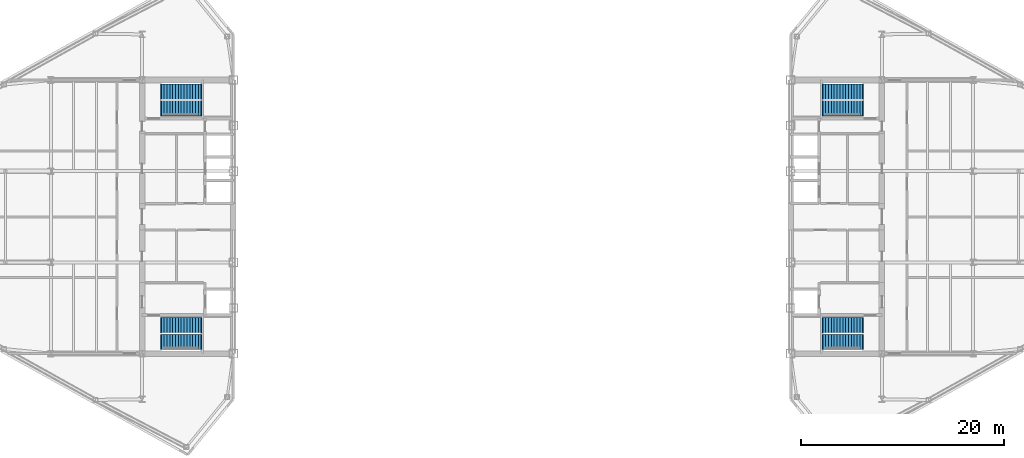
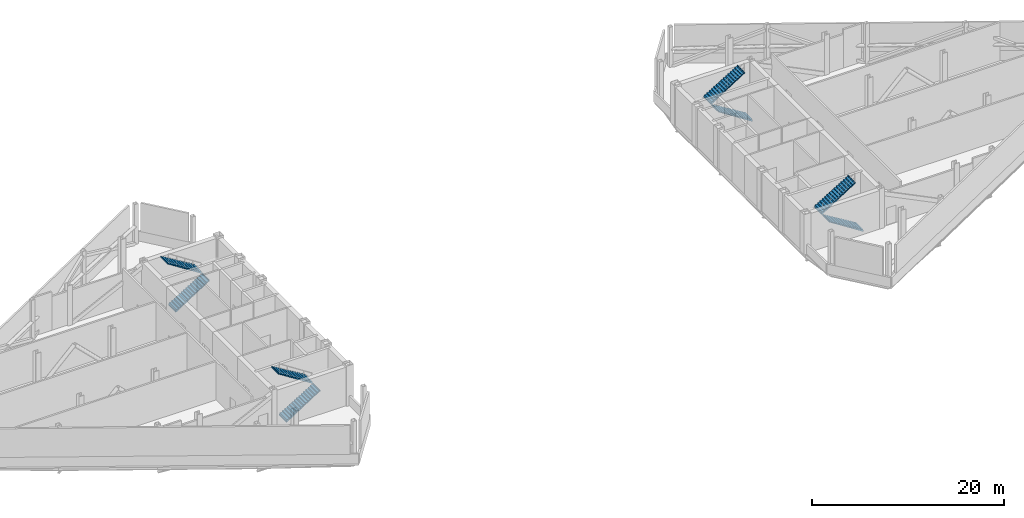
# One storey, part 10 of 11: 8 stair flights, 4 elements without a shape of their own.
"""IFC4 building model written with IfcOpenShell, lengths in metres."""

from ifc_helpers import new_model, si_unit, direction, frame, origin, place, context, subcontext, project, spatial, polyline, outline, extrude, material, type_object, element, aggregate, save


model = new_model("IFC4")

# Units and contexts
model_context = context("Model", 3, precision=1e-05, world=origin(), true_north=direction((0.0, 1.0)))
body_context = subcontext(model_context, "Body", "Model", "MODEL_VIEW")
ifc_project = project(units=[si_unit("LENGTHUNIT", "METRE"), si_unit("AREAUNIT", "SQUARE_METRE"), si_unit("VOLUMEUNIT", "CUBIC_METRE"), si_unit("PLANEANGLEUNIT", "RADIAN"), si_unit("MASSUNIT", "GRAM", prefix="KILO")], contexts=[model_context])

# Site, building, storey
site_placement = place(None, origin())
site = spatial("IfcSite", under=ifc_project, at=site_placement, CompositionType="ELEMENT")
building_placement = place(site_placement, origin())
building = spatial("IfcBuilding", under=site, at=building_placement, Name="Seokmaru Belvedere", CompositionType="ELEMENT")
storey_placement = place(building_placement, frame((0.0, 0.0, 162.0)))
storey = spatial("IfcBuildingStorey", under=building, at=storey_placement, Name="L43", CompositionType="ELEMENT", Elevation=162.0)

# Stair, stair flights
ifc_material = material(Name="Concrete C40 (40 MPa)", Category="concrete")
stair_type = type_object("IfcStairType", Name="Refuge Storey Core Dog-Leg Stair 5100", PredefinedType="TWO_STRAIGHT_RUN_STAIR", material=ifc_material)
stair_1_placement = place(storey_placement, origin())
stair_1 = element("IfcStair", 1, at=stair_1_placement, inside=storey, type_object=stair_type, Name="L43 Special Escape Stair ST-W1", PredefinedType="TWO_STRAIGHT_RUN_STAIR")
stair_flight_type = type_object("IfcStairFlightType", Name="Reinforced Concrete Stair Flight 1500", PredefinedType="STRAIGHT", material=ifc_material)
stair_flight_1_placement = place(storey_placement, frame((-34.60009765625, -12.35009765625, 0.0), z_axis=(0.0, 0.0, 1.0), x_axis=(1.0, 0.0, 0.0)))
stair_flight_1 = element("IfcStairFlight", 2, at=stair_flight_1_placement, type_object=stair_flight_type, Name="ST-W1 flight 1", NumberOfRisers=15, NumberOfTreads=14, PredefinedType="STRAIGHT", RiserHeight=0.17, TreadLength=0.28, context=body_context, shape_type="SweptSolid", body=[
    extrude(outline(polyline([(-0.080078125, 0.0), (0.0, 0.169921875), (0.280029296875, 0.169921875), (0.280029296875, 0.340087890625), (0.56005859375, 0.340087890625), (0.56005859375, 0.510009765625), (0.840087890625, 0.510009765625), (0.840087890625, 0.679931640625), (1.1201171875, 0.679931640625), (1.1201171875, 0.85009765625), (1.39990234375, 0.85009765625), (1.39990234375, 1.02001953125), (1.679931640625, 1.02001953125), (1.679931640625, 1.18994140625), (1.9599609375, 1.18994140625), (1.9599609375, 1.360107421875), (2.239990234375, 1.360107421875), (2.239990234375, 1.530029296875), (2.52001953125, 1.530029296875), (2.52001953125, 1.699951171875), (2.800048828125, 1.699951171875), (2.800048828125, 1.8701171875), (3.080078125, 1.8701171875), (3.080078125, 2.0400390625), (3.360107421875, 2.0400390625), (3.360107421875, 2.2099609375), (3.639892578125, 2.2099609375), (3.639892578125, 2.3798828125), (3.919921875, 2.3798828125), (3.919921875, 2.550048828125), (4.0, 2.550048828125), (4.0, 2.360107421875), (3.919921875, 2.360107421875), (0.0, -0.159912109375), (-0.080078125, -0.159912109375), (-0.080078125, 0.0)])), frame((0.0, 0.75, 0.0), z_axis=(0.0, -1.0, 0.0), x_axis=(1.0, 0.0, 0.0)), (0.0, 0.0, 1.0), 1.5),
])
stair_flight_2_placement = place(storey_placement, frame((-30.679931640625, -10.7099609375, 2.550048828125), z_axis=(0.0, 0.0, 1.0), x_axis=(-1.0, 0.0, 0.0)))
stair_flight_2 = element("IfcStairFlight", 3, at=stair_flight_2_placement, type_object=stair_flight_type, Name="ST-W1 flight 2", NumberOfRisers=15, NumberOfTreads=14, PredefinedType="STRAIGHT", RiserHeight=0.17, TreadLength=0.28, context=body_context, shape_type="SweptSolid", body=[
    extrude(outline(polyline([(-0.080078125, 0.0), (0.0, 0.169921875), (0.280029296875, 0.169921875), (0.280029296875, 0.340087890625), (0.56005859375, 0.340087890625), (0.56005859375, 0.510009765625), (0.840087890625, 0.510009765625), (0.840087890625, 0.679931640625), (1.1201171875, 0.679931640625), (1.1201171875, 0.85009765625), (1.39990234375, 0.85009765625), (1.39990234375, 1.02001953125), (1.679931640625, 1.02001953125), (1.679931640625, 1.18994140625), (1.9599609375, 1.18994140625), (1.9599609375, 1.360107421875), (2.239990234375, 1.360107421875), (2.239990234375, 1.530029296875), (2.52001953125, 1.530029296875), (2.52001953125, 1.699951171875), (2.800048828125, 1.699951171875), (2.800048828125, 1.8701171875), (3.080078125, 1.8701171875), (3.080078125, 2.0400390625), (3.360107421875, 2.0400390625), (3.360107421875, 2.2099609375), (3.639892578125, 2.2099609375), (3.639892578125, 2.3798828125), (3.919921875, 2.3798828125), (3.919921875, 2.550048828125), (4.0, 2.550048828125), (4.0, 2.360107421875), (3.919921875, 2.360107421875), (0.0, -0.159912109375), (-0.080078125, -0.159912109375), (-0.080078125, 0.0)])), frame((0.0, 0.75, 0.0), z_axis=(0.0, -1.0, 0.0), x_axis=(1.0, 0.0, 0.0)), (0.0, 0.0, 1.0), 1.5),
])
aggregate(stair_1, [stair_flight_1, stair_flight_2])

stair_2_placement = place(storey_placement, origin())
stair_2 = element("IfcStair", 4, at=stair_2_placement, inside=storey, type_object=stair_type, Name="L43 Special Escape Stair ST-W2", PredefinedType="TWO_STRAIGHT_RUN_STAIR")
stair_flight_3_placement = place(storey_placement, frame((-34.60009765625, 10.7099609375, 0.0), z_axis=(0.0, 0.0, 1.0), x_axis=(1.0, 0.0, 0.0)))
stair_flight_3 = element("IfcStairFlight", 5, at=stair_flight_3_placement, type_object=stair_flight_type, Name="ST-W2 flight 1", NumberOfRisers=15, NumberOfTreads=14, PredefinedType="STRAIGHT", RiserHeight=0.17, TreadLength=0.28, context=body_context, shape_type="SweptSolid", body=[
    extrude(outline(polyline([(-0.080078125, 0.0), (0.0, 0.169921875), (0.280029296875, 0.169921875), (0.280029296875, 0.340087890625), (0.56005859375, 0.340087890625), (0.56005859375, 0.510009765625), (0.840087890625, 0.510009765625), (0.840087890625, 0.679931640625), (1.1201171875, 0.679931640625), (1.1201171875, 0.85009765625), (1.39990234375, 0.85009765625), (1.39990234375, 1.02001953125), (1.679931640625, 1.02001953125), (1.679931640625, 1.18994140625), (1.9599609375, 1.18994140625), (1.9599609375, 1.360107421875), (2.239990234375, 1.360107421875), (2.239990234375, 1.530029296875), (2.52001953125, 1.530029296875), (2.52001953125, 1.699951171875), (2.800048828125, 1.699951171875), (2.800048828125, 1.8701171875), (3.080078125, 1.8701171875), (3.080078125, 2.0400390625), (3.360107421875, 2.0400390625), (3.360107421875, 2.2099609375), (3.639892578125, 2.2099609375), (3.639892578125, 2.3798828125), (3.919921875, 2.3798828125), (3.919921875, 2.550048828125), (4.0, 2.550048828125), (4.0, 2.360107421875), (3.919921875, 2.360107421875), (0.0, -0.159912109375), (-0.080078125, -0.159912109375), (-0.080078125, 0.0)])), frame((0.0, 0.75, 0.0), z_axis=(0.0, -1.0, 0.0), x_axis=(1.0, 0.0, 0.0)), (0.0, 0.0, 1.0), 1.5),
])
stair_flight_4_placement = place(storey_placement, frame((-30.679931640625, 12.35009765625, 2.550048828125), z_axis=(0.0, 0.0, 1.0), x_axis=(-1.0, 0.0, 0.0)))
stair_flight_4 = element("IfcStairFlight", 6, at=stair_flight_4_placement, type_object=stair_flight_type, Name="ST-W2 flight 2", NumberOfRisers=15, NumberOfTreads=14, PredefinedType="STRAIGHT", RiserHeight=0.17, TreadLength=0.28, context=body_context, shape_type="SweptSolid", body=[
    extrude(outline(polyline([(-0.080078125, 0.0), (0.0, 0.169921875), (0.280029296875, 0.169921875), (0.280029296875, 0.340087890625), (0.56005859375, 0.340087890625), (0.56005859375, 0.510009765625), (0.840087890625, 0.510009765625), (0.840087890625, 0.679931640625), (1.1201171875, 0.679931640625), (1.1201171875, 0.85009765625), (1.39990234375, 0.85009765625), (1.39990234375, 1.02001953125), (1.679931640625, 1.02001953125), (1.679931640625, 1.18994140625), (1.9599609375, 1.18994140625), (1.9599609375, 1.360107421875), (2.239990234375, 1.360107421875), (2.239990234375, 1.530029296875), (2.52001953125, 1.530029296875), (2.52001953125, 1.699951171875), (2.800048828125, 1.699951171875), (2.800048828125, 1.8701171875), (3.080078125, 1.8701171875), (3.080078125, 2.0400390625), (3.360107421875, 2.0400390625), (3.360107421875, 2.2099609375), (3.639892578125, 2.2099609375), (3.639892578125, 2.3798828125), (3.919921875, 2.3798828125), (3.919921875, 2.550048828125), (4.0, 2.550048828125), (4.0, 2.360107421875), (3.919921875, 2.360107421875), (0.0, -0.159912109375), (-0.080078125, -0.159912109375), (-0.080078125, 0.0)])), frame((0.0, 0.75, 0.0), z_axis=(0.0, -1.0, 0.0), x_axis=(1.0, 0.0, 0.0)), (0.0, 0.0, 1.0), 1.5),
])
aggregate(stair_2, [stair_flight_3, stair_flight_4])

stair_3_placement = place(storey_placement, origin())
stair_3 = element("IfcStair", 7, at=stair_3_placement, inside=storey, type_object=stair_type, Name="L43 Special Escape Stair ST-E1", PredefinedType="TWO_STRAIGHT_RUN_STAIR")
stair_flight_5_placement = place(storey_placement, frame((34.60009765625, -12.35009765625, 0.0), z_axis=(0.0, 0.0, 1.0), x_axis=(-1.0, 0.0, 0.0)))
stair_flight_5 = element("IfcStairFlight", 8, at=stair_flight_5_placement, type_object=stair_flight_type, Name="ST-E1 flight 1", NumberOfRisers=15, NumberOfTreads=14, PredefinedType="STRAIGHT", RiserHeight=0.17, TreadLength=0.28, context=body_context, shape_type="SweptSolid", body=[
    extrude(outline(polyline([(-0.080078125, 0.0), (0.0, 0.169921875), (0.280029296875, 0.169921875), (0.280029296875, 0.340087890625), (0.56005859375, 0.340087890625), (0.56005859375, 0.510009765625), (0.840087890625, 0.510009765625), (0.840087890625, 0.679931640625), (1.1201171875, 0.679931640625), (1.1201171875, 0.85009765625), (1.39990234375, 0.85009765625), (1.39990234375, 1.02001953125), (1.679931640625, 1.02001953125), (1.679931640625, 1.18994140625), (1.9599609375, 1.18994140625), (1.9599609375, 1.360107421875), (2.239990234375, 1.360107421875), (2.239990234375, 1.530029296875), (2.52001953125, 1.530029296875), (2.52001953125, 1.699951171875), (2.800048828125, 1.699951171875), (2.800048828125, 1.8701171875), (3.080078125, 1.8701171875), (3.080078125, 2.0400390625), (3.360107421875, 2.0400390625), (3.360107421875, 2.2099609375), (3.639892578125, 2.2099609375), (3.639892578125, 2.3798828125), (3.919921875, 2.3798828125), (3.919921875, 2.550048828125), (4.0, 2.550048828125), (4.0, 2.360107421875), (3.919921875, 2.360107421875), (0.0, -0.159912109375), (-0.080078125, -0.159912109375), (-0.080078125, 0.0)])), frame((0.0, 0.75, 0.0), z_axis=(0.0, -1.0, 0.0), x_axis=(1.0, 0.0, 0.0)), (0.0, 0.0, 1.0), 1.5),
])
stair_flight_6_placement = place(storey_placement, frame((30.679931640625, -10.7099609375, 2.550048828125), z_axis=(0.0, 0.0, 1.0), x_axis=(1.0, 0.0, 0.0)))
stair_flight_6 = element("IfcStairFlight", 9, at=stair_flight_6_placement, type_object=stair_flight_type, Name="ST-E1 flight 2", NumberOfRisers=15, NumberOfTreads=14, PredefinedType="STRAIGHT", RiserHeight=0.17, TreadLength=0.28, context=body_context, shape_type="SweptSolid", body=[
    extrude(outline(polyline([(-0.080078125, 0.0), (0.0, 0.169921875), (0.280029296875, 0.169921875), (0.280029296875, 0.340087890625), (0.56005859375, 0.340087890625), (0.56005859375, 0.510009765625), (0.840087890625, 0.510009765625), (0.840087890625, 0.679931640625), (1.1201171875, 0.679931640625), (1.1201171875, 0.85009765625), (1.39990234375, 0.85009765625), (1.39990234375, 1.02001953125), (1.679931640625, 1.02001953125), (1.679931640625, 1.18994140625), (1.9599609375, 1.18994140625), (1.9599609375, 1.360107421875), (2.239990234375, 1.360107421875), (2.239990234375, 1.530029296875), (2.52001953125, 1.530029296875), (2.52001953125, 1.699951171875), (2.800048828125, 1.699951171875), (2.800048828125, 1.8701171875), (3.080078125, 1.8701171875), (3.080078125, 2.0400390625), (3.360107421875, 2.0400390625), (3.360107421875, 2.2099609375), (3.639892578125, 2.2099609375), (3.639892578125, 2.3798828125), (3.919921875, 2.3798828125), (3.919921875, 2.550048828125), (4.0, 2.550048828125), (4.0, 2.360107421875), (3.919921875, 2.360107421875), (0.0, -0.159912109375), (-0.080078125, -0.159912109375), (-0.080078125, 0.0)])), frame((0.0, 0.75, 0.0), z_axis=(0.0, -1.0, 0.0), x_axis=(1.0, 0.0, 0.0)), (0.0, 0.0, 1.0), 1.5),
])
aggregate(stair_3, [stair_flight_5, stair_flight_6])

stair_4_placement = place(storey_placement, origin())
stair_4 = element("IfcStair", 10, at=stair_4_placement, inside=storey, type_object=stair_type, Name="L43 Special Escape Stair ST-E2", PredefinedType="TWO_STRAIGHT_RUN_STAIR")
stair_flight_7_placement = place(storey_placement, frame((34.60009765625, 10.7099609375, 0.0), z_axis=(0.0, 0.0, 1.0), x_axis=(-1.0, 0.0, 0.0)))
stair_flight_7 = element("IfcStairFlight", 11, at=stair_flight_7_placement, type_object=stair_flight_type, Name="ST-E2 flight 1", NumberOfRisers=15, NumberOfTreads=14, PredefinedType="STRAIGHT", RiserHeight=0.17, TreadLength=0.28, context=body_context, shape_type="SweptSolid", body=[
    extrude(outline(polyline([(-0.080078125, 0.0), (0.0, 0.169921875), (0.280029296875, 0.169921875), (0.280029296875, 0.340087890625), (0.56005859375, 0.340087890625), (0.56005859375, 0.510009765625), (0.840087890625, 0.510009765625), (0.840087890625, 0.679931640625), (1.1201171875, 0.679931640625), (1.1201171875, 0.85009765625), (1.39990234375, 0.85009765625), (1.39990234375, 1.02001953125), (1.679931640625, 1.02001953125), (1.679931640625, 1.18994140625), (1.9599609375, 1.18994140625), (1.9599609375, 1.360107421875), (2.239990234375, 1.360107421875), (2.239990234375, 1.530029296875), (2.52001953125, 1.530029296875), (2.52001953125, 1.699951171875), (2.800048828125, 1.699951171875), (2.800048828125, 1.8701171875), (3.080078125, 1.8701171875), (3.080078125, 2.0400390625), (3.360107421875, 2.0400390625), (3.360107421875, 2.2099609375), (3.639892578125, 2.2099609375), (3.639892578125, 2.3798828125), (3.919921875, 2.3798828125), (3.919921875, 2.550048828125), (4.0, 2.550048828125), (4.0, 2.360107421875), (3.919921875, 2.360107421875), (0.0, -0.159912109375), (-0.080078125, -0.159912109375), (-0.080078125, 0.0)])), frame((0.0, 0.75, 0.0), z_axis=(0.0, -1.0, 0.0), x_axis=(1.0, 0.0, 0.0)), (0.0, 0.0, 1.0), 1.5),
])
stair_flight_8_placement = place(storey_placement, frame((30.679931640625, 12.35009765625, 2.550048828125), z_axis=(0.0, 0.0, 1.0), x_axis=(1.0, 0.0, 0.0)))
stair_flight_8 = element("IfcStairFlight", 12, at=stair_flight_8_placement, type_object=stair_flight_type, Name="ST-E2 flight 2", NumberOfRisers=15, NumberOfTreads=14, PredefinedType="STRAIGHT", RiserHeight=0.17, TreadLength=0.28, context=body_context, shape_type="SweptSolid", body=[
    extrude(outline(polyline([(-0.080078125, 0.0), (0.0, 0.169921875), (0.280029296875, 0.169921875), (0.280029296875, 0.340087890625), (0.56005859375, 0.340087890625), (0.56005859375, 0.510009765625), (0.840087890625, 0.510009765625), (0.840087890625, 0.679931640625), (1.1201171875, 0.679931640625), (1.1201171875, 0.85009765625), (1.39990234375, 0.85009765625), (1.39990234375, 1.02001953125), (1.679931640625, 1.02001953125), (1.679931640625, 1.18994140625), (1.9599609375, 1.18994140625), (1.9599609375, 1.360107421875), (2.239990234375, 1.360107421875), (2.239990234375, 1.530029296875), (2.52001953125, 1.530029296875), (2.52001953125, 1.699951171875), (2.800048828125, 1.699951171875), (2.800048828125, 1.8701171875), (3.080078125, 1.8701171875), (3.080078125, 2.0400390625), (3.360107421875, 2.0400390625), (3.360107421875, 2.2099609375), (3.639892578125, 2.2099609375), (3.639892578125, 2.3798828125), (3.919921875, 2.3798828125), (3.919921875, 2.550048828125), (4.0, 2.550048828125), (4.0, 2.360107421875), (3.919921875, 2.360107421875), (0.0, -0.159912109375), (-0.080078125, -0.159912109375), (-0.080078125, 0.0)])), frame((0.0, 0.75, 0.0), z_axis=(0.0, -1.0, 0.0), x_axis=(1.0, 0.0, 0.0)), (0.0, 0.0, 1.0), 1.5),
])
aggregate(stair_4, [stair_flight_7, stair_flight_8])

save(model, "model.ifc")
